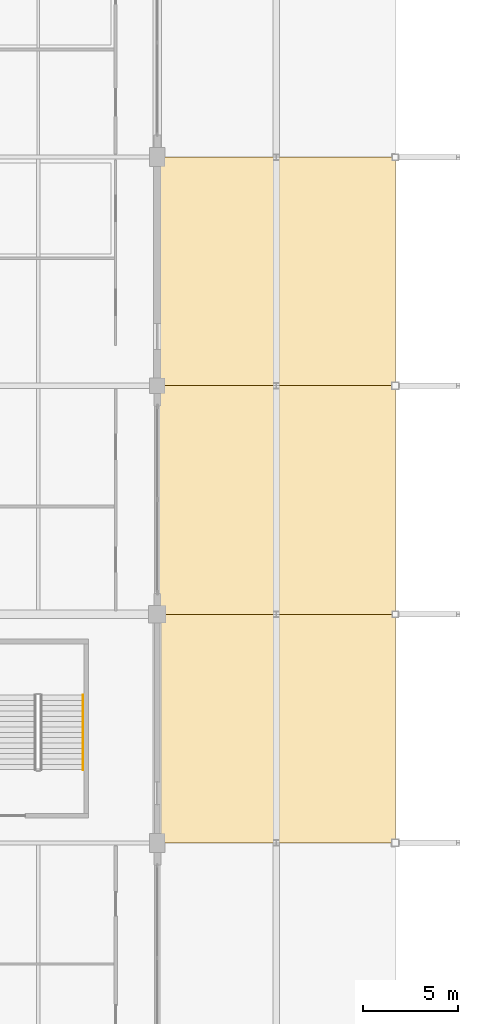
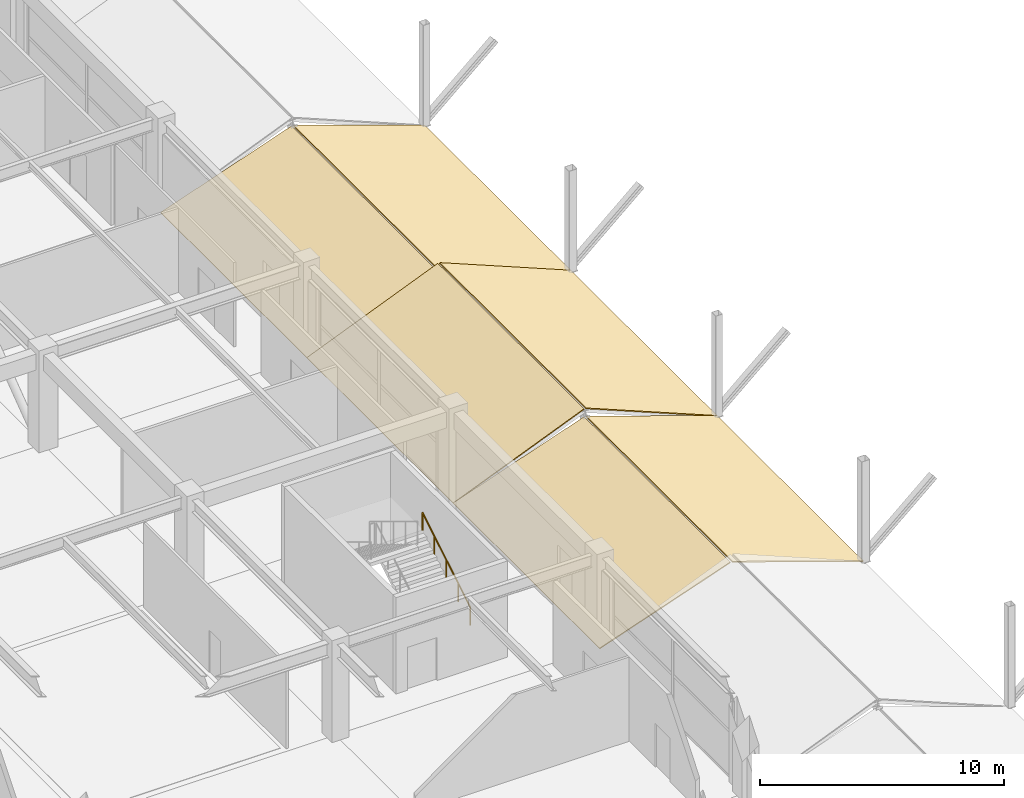
# One storey, part 96 of 116: 6 coverings, 1 railing.
"""IFC4 building model written with IfcOpenShell, lengths in metres."""

from ifc_helpers import new_model, si_unit, direction, frame, origin, origin_2d, place, context, subcontext, project, spatial, polyline, circle, outline, extrude, material, layer, layer_set, type_object, element, save


model = new_model("IFC4")

# Units and contexts
model_context = context("Model", 3, precision=1e-05, world=origin(), true_north=direction((0.0, 1.0)))
body_context = subcontext(model_context, "Body", "Model", "MODEL_VIEW")
ifc_project = project(units=[si_unit("LENGTHUNIT", "METRE"), si_unit("AREAUNIT", "SQUARE_METRE"), si_unit("VOLUMEUNIT", "CUBIC_METRE"), si_unit("PLANEANGLEUNIT", "RADIAN"), si_unit("MASSUNIT", "GRAM", prefix="KILO")], contexts=[model_context])

# Site, building, storey
site_placement = place(None, origin())
site = spatial("IfcSite", under=ifc_project, at=site_placement, CompositionType="ELEMENT")
building_placement = place(site_placement, origin())
building = spatial("IfcBuilding", under=site, at=building_placement, Name="Kazenohara Klinker Stadium", CompositionType="ELEMENT")
storey_placement = place(building_placement, frame((0.0, 0.0, 10.199951171875)))
storey = spatial("IfcBuildingStorey", under=building, at=storey_placement, Name="L02", CompositionType="ELEMENT", Elevation=10.199951171875)

# Coverings
ifc_material_1 = material(Name="Insulated standing-seam copper roofing", Category="metal")
ifc_layer_1 = layer(ifc_material_1, 0.050048828125)
ifc_layer_set_1 = layer_set([ifc_layer_1], Name="Insulated standing-seam copper roofing")
covering_type = type_object("IfcCoveringType", Name="COV-ROOF-01", PredefinedType="ROOFING", material=ifc_layer_set_1)
for number, where, z_axis, x_axis, name in (
    (1, (36.5, 72.0, -0.030029296875), (-0.327656136105, 0.0, 0.944797045123), (0.944797045123, 0.0, 0.327656136105), "Standing-seam copper stepped wing roofing L02-A 4/G"),
    (2, (42.800048828125, 72.0, 2.1201171875), (0.327656136105, 0.0, 0.944797045123), (0.944797045123, 0.0, -0.327656136105), "Standing-seam copper stepped wing roofing L02-B 4/G"),
):
    element("IfcCovering", number, at=place(storey_placement, frame(where, z_axis=z_axis, x_axis=x_axis)), inside=storey, type_object=covering_type, Name=name, PredefinedType="ROOFING", context=body_context, shape_type="SweptSolid", body=[
        extrude(outline(polyline([(0.0, 0.0), (6.562204236223097, 0.0), (6.562204236223097, 12.0), (0.0, 12.0), (0.0, 0.0)])), origin(), (0.0, 0.0, -1.0), 0.050048828125),
    ])
for number, where, z_axis, x_axis, name in (
    (3, (36.5, 84.0, -0.030029296875), (-0.380383442935, 0.0, 0.924828868678), (0.924828868678, 0.0, 0.380383442935), "Standing-seam copper stepped wing roofing L02-A 4/H"),
    (4, (42.800048828125, 84.0, 2.52001953125), (0.380383442935, 0.0, 0.924828868678), (0.924828868678, 0.0, -0.380383442935), "Standing-seam copper stepped wing roofing L02-B 4/H"),
):
    element("IfcCovering", number, at=place(storey_placement, frame(where, z_axis=z_axis, x_axis=x_axis)), inside=storey, type_object=covering_type, Name=name, PredefinedType="ROOFING", context=body_context, shape_type="SweptSolid", body=[
        extrude(outline(polyline([(0.0, 0.0), (6.703890181040846, 0.0), (6.703890181040846, 12.0), (0.0, 12.0), (0.0, 0.0)])), origin(), (0.0, 0.0, -1.0), 0.050048828125),
    ])
for number, where, z_axis, x_axis, name in (
    (5, (36.5, 96.0, -0.030029296875), (-0.327656136105, 0.0, 0.944797045123), (0.944797045123, 0.0, 0.327656136105), "Standing-seam copper stepped wing roofing L02-A 4/J"),
    (6, (42.800048828125, 96.0, 2.1201171875), (0.327656136105, 0.0, 0.944797045123), (0.944797045123, 0.0, -0.327656136105), "Standing-seam copper stepped wing roofing L02-B 4/J"),
):
    element("IfcCovering", number, at=place(storey_placement, frame(where, z_axis=z_axis, x_axis=x_axis)), inside=storey, type_object=covering_type, Name=name, PredefinedType="ROOFING", context=body_context, shape_type="SweptSolid", body=[
        extrude(outline(polyline([(0.0, 0.0), (6.562204236223097, 0.0), (6.562204236223097, 12.0), (0.0, 12.0), (0.0, 0.0)])), origin(), (0.0, 0.0, -1.0), 0.050048828125),
    ])

# Railing
ifc_material_2 = material(Name="Brushed stainless steel 304 handrail", Category="steel")
ifc_layer_2 = layer(ifc_material_2, 0.050048828125)
ifc_layer_set_2 = layer_set([ifc_layer_2], Name="Brushed stainless steel 304 handrail")
railing_type = type_object("IfcRailingType", Name="RL-HND-900", PredefinedType="HANDRAIL", material=ifc_layer_set_2)
railing_placement = place(storey_placement, frame((32.60009765625, 75.840087890625, 0.170166015625)))
element("IfcRailing", 7, at=railing_placement, inside=storey, type_object=railing_type, Name="L02 ST17 stair handrail 1", PredefinedType="HANDRAIL", context=body_context, shape_type="SweptSolid", body=[
    extrude(circle(Radius=0.02392578125, at=origin_2d()), frame((0.0, 0.0, 0.8759765625), z_axis=(0.0, 0.854794262968, 0.518967020143), x_axis=(-1.0, 0.0, 0.0)), (0.0, 0.0, 1.0), 4.585693359375),
    extrude(circle(Radius=0.02099609375, at=origin_2d()), origin(), (0.0, 0.0, 1.0), 0.851806640625),
    extrude(circle(Radius=0.02099609375, at=origin_2d()), frame((0.0, 0.97998046875, 0.594970703125)), (0.0, 0.0, 1.0), 0.851806640625),
    extrude(circle(Radius=0.02099609375, at=origin_2d()), frame((0.0, 1.9599609375, 1.18994140625)), (0.0, 0.0, 1.0), 0.851806640625),
    extrude(circle(Radius=0.02099609375, at=origin_2d()), frame((0.0, 2.93994140625, 1.784912109375)), (0.0, 0.0, 1.0), 0.851806640625),
    extrude(circle(Radius=0.02099609375, at=origin_2d()), frame((0.0, 3.919921875, 2.3798828125)), (0.0, 0.0, 1.0), 0.851806640625),
])

save(model, "model.ifc")
